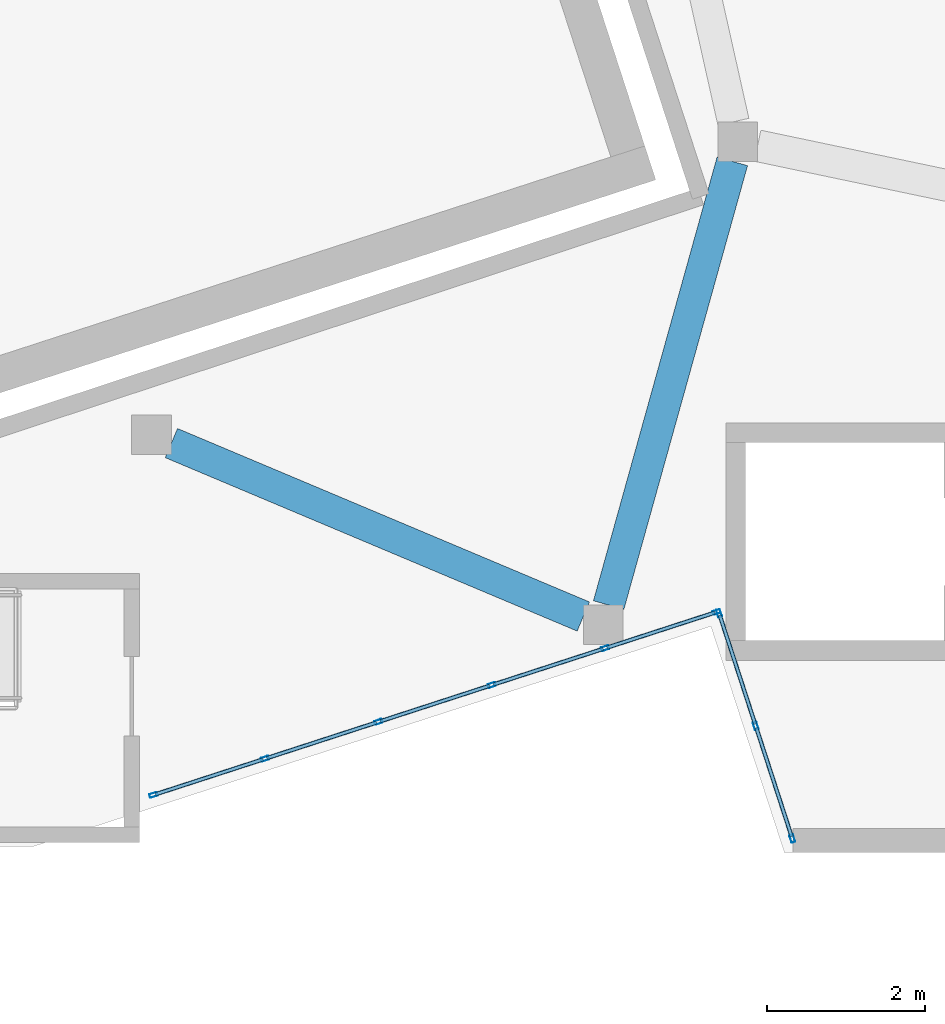
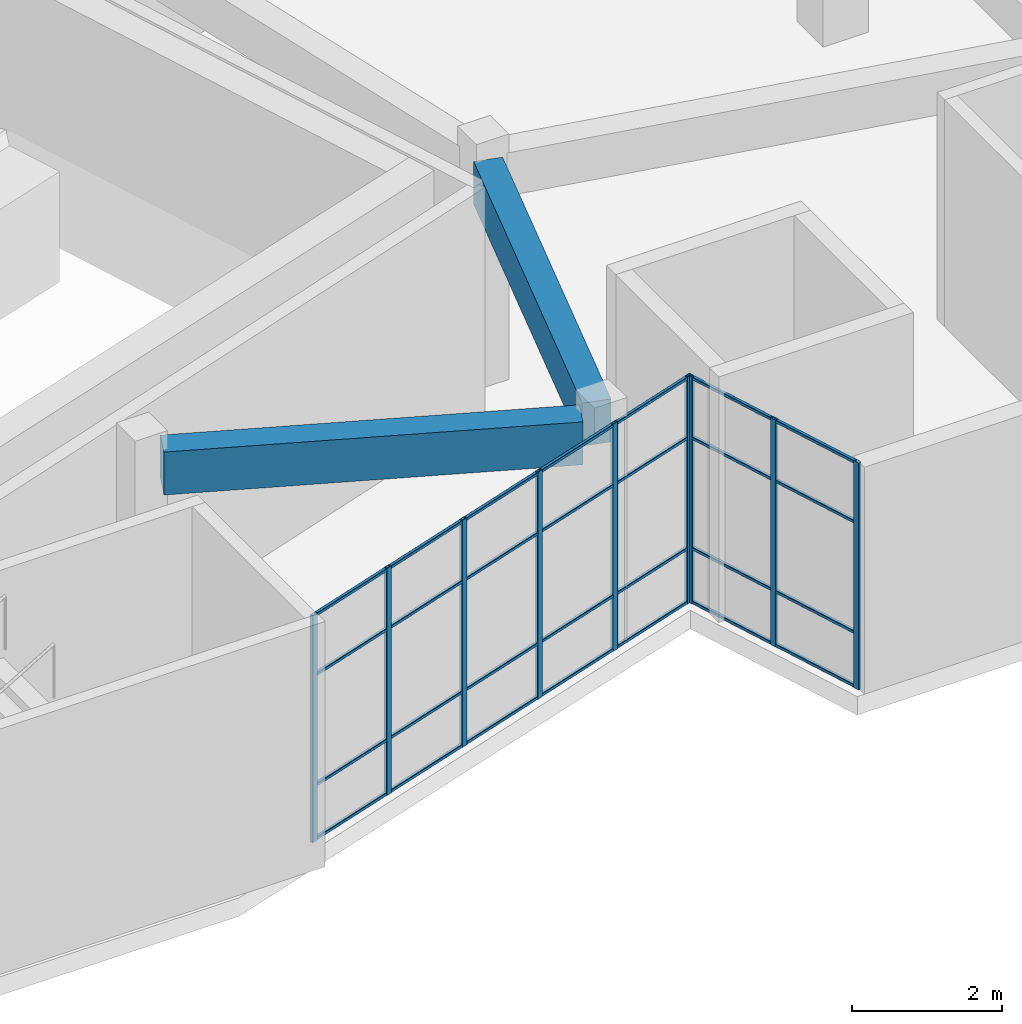
# One storey, part 2 of 66: 37 members, 2 beams, 2 elements without a shape of their own.
"""IFC4 building model written with IfcOpenShell, lengths in metres."""

from ifc_helpers import new_model, si_unit, direction, frame, origin, origin_2d, place, context, subcontext, project, spatial, rectangle, hollow_rectangle, extrude, material, layer, layer_set, material_profile, profile_set, type_object, element, aggregate, save


model = new_model("IFC4")

# Units and contexts
model_context = context("Model", 3, precision=1e-05, world=origin(), true_north=direction((0.0, 1.0)))
body_context = subcontext(model_context, "Body", "Model", "MODEL_VIEW")
ifc_project = project(units=[si_unit("LENGTHUNIT", "METRE"), si_unit("AREAUNIT", "SQUARE_METRE"), si_unit("VOLUMEUNIT", "CUBIC_METRE"), si_unit("PLANEANGLEUNIT", "RADIAN"), si_unit("MASSUNIT", "GRAM", prefix="KILO")], contexts=[model_context])

# Site, building, storey
site_placement = place(None, origin())
site = spatial("IfcSite", under=ifc_project, at=site_placement, CompositionType="ELEMENT")
building_placement = place(site_placement, origin())
building = spatial("IfcBuilding", under=site, at=building_placement, Name="Tuart Plaza Theatre", CompositionType="ELEMENT")
storey_placement = place(building_placement, frame((0.0, 0.0, 5.5)))
storey = spatial("IfcBuildingStorey", under=building, at=storey_placement, Name="L01", CompositionType="ELEMENT", Elevation=5.5)

# Beams
ifc_material_1 = material(Name="Concrete N40 (40 MPa)", Category="concrete")
ifc_material_profile_1 = material_profile(ifc_material_1, rectangle(XDim=0.39990234375, YDim=0.699951171875, at=origin_2d()), Name="BEAM 400x700 Concrete N40 (40 MPa)")
ifc_profile_set_1 = profile_set([ifc_material_profile_1], Name="Concrete N40 (40 MPa)")
beam_type = type_object("IfcBeamType", Name="BEAM 400x700 Concrete N40 (40 MPa)", PredefinedType="BEAM", material=ifc_profile_set_1)
beam_1_placement = place(storey_placement, frame((76.949951171875, 45.30517578125, 3.35009765625), z_axis=(-0.921635375138, 0.388057000058, 0.0), x_axis=(-0.388057000058, -0.921635375138, 0.0)))
element("IfcBeam", 1, at=beam_1_placement, inside=storey, type_object=beam_type, Name="RB467", PredefinedType="BEAM", context=body_context, shape_type="SweptSolid", body=[
    extrude(rectangle(XDim=0.39990234375, YDim=0.699951171875, at=origin_2d()), origin(), (0.0, 0.0, 1.0), 5.64208984375),
])
beam_2_placement = place(storey_placement, frame((77.269775390625, 45.449951171875, 3.35009765625), z_axis=(0.268436517251, 0.963297376829, 0.0), x_axis=(-0.963297376829, 0.268436517251, 0.0)))
element("IfcBeam", 2, at=beam_2_placement, inside=storey, type_object=beam_type, Name="RB468", PredefinedType="BEAM", context=body_context, shape_type="SweptSolid", body=[
    extrude(rectangle(XDim=0.39990234375, YDim=0.699951171875, at=origin_2d()), origin(), (0.0, 0.0, 1.0), 5.8134765625),
])

# Curtain wall, members
ifc_material_2 = material(Name="Aluminium and glass", Category="aluminium")
ifc_layer = layer(ifc_material_2, 0.10009765625)
ifc_layer_set = layer_set([ifc_layer], Name="CURTAIN WALL 1500 module")
curtain_wall_type = type_object("IfcCurtainWallType", Name="CURTAIN WALL 1500 module", PredefinedType="NOTDEFINED", material=ifc_layer_set)
curtain_wall_1_placement = place(storey_placement, origin())
curtain_wall_1 = element("IfcCurtainWall", 3, at=curtain_wall_1_placement, inside=storey, type_object=curtain_wall_type, Name="CW13", PredefinedType="NOTDEFINED")
ifc_material_3 = material(Name="Aluminium 6063-T5", Category="aluminium")
ifc_material_profile_2 = material_profile(ifc_material_3, hollow_rectangle(XDim=0.050048828125, YDim=0.10009765625, WallThickness=0.00390625, InnerFilletRadius=0.00390625, OuterFilletRadius=0.008056640625, at=origin_2d()), Name="RHS 100x50x4")
ifc_profile_set_2 = profile_set([ifc_material_profile_2], Name="Aluminium 6063-T5")
member_type_1 = type_object("IfcMemberType", Name="MULLION RHS 100x50x4", PredefinedType="MULLION", material=ifc_profile_set_2)
member_1_placement = place(storey_placement, frame((71.523681640625, 43.052734375, 0.0), z_axis=(0.0, 0.0, 1.0), x_axis=(-0.308985579126, 0.951066723155, 0.0)))
member_1 = element("IfcMember", 4, at=member_1_placement, type_object=member_type_1, Name="CW13 mullion 1", PredefinedType="MULLION", context=body_context, shape_type="SweptSolid", body=[
    extrude(hollow_rectangle(XDim=0.050048828125, YDim=0.10009765625, WallThickness=0.00390625, InnerFilletRadius=0.00390625, OuterFilletRadius=0.008056640625, at=origin_2d()), origin(), (0.0, 0.0, 1.0), 3.699951171875),
])
member_2_placement = place(storey_placement, frame((72.93115234375, 43.510009765625, 0.0), z_axis=(0.0, 0.0, 1.0), x_axis=(-0.308985579126, 0.951066723155, 0.0)))
member_2 = element("IfcMember", 5, at=member_2_placement, type_object=member_type_1, Name="CW13 mullion 2", PredefinedType="MULLION", context=body_context, shape_type="SweptSolid", body=[
    extrude(hollow_rectangle(XDim=0.050048828125, YDim=0.10009765625, WallThickness=0.00390625, InnerFilletRadius=0.00390625, OuterFilletRadius=0.008056640625, at=origin_2d()), origin(), (0.0, 0.0, 1.0), 3.699951171875),
])
member_3_placement = place(storey_placement, frame((74.362548828125, 43.97509765625, 0.0), z_axis=(0.0, 0.0, 1.0), x_axis=(-0.308985579126, 0.951066723155, 0.0)))
member_3 = element("IfcMember", 6, at=member_3_placement, type_object=member_type_1, Name="CW13 mullion 3", PredefinedType="MULLION", context=body_context, shape_type="SweptSolid", body=[
    extrude(hollow_rectangle(XDim=0.050048828125, YDim=0.10009765625, WallThickness=0.00390625, InnerFilletRadius=0.00390625, OuterFilletRadius=0.008056640625, at=origin_2d()), origin(), (0.0, 0.0, 1.0), 3.699951171875),
])
member_4_placement = place(storey_placement, frame((75.793701171875, 44.43994140625, 0.0), z_axis=(0.0, 0.0, 1.0), x_axis=(-0.308985579126, 0.951066723155, 0.0)))
member_4 = element("IfcMember", 7, at=member_4_placement, type_object=member_type_1, Name="CW13 mullion 4", PredefinedType="MULLION", context=body_context, shape_type="SweptSolid", body=[
    extrude(hollow_rectangle(XDim=0.050048828125, YDim=0.10009765625, WallThickness=0.00390625, InnerFilletRadius=0.00390625, OuterFilletRadius=0.008056640625, at=origin_2d()), origin(), (0.0, 0.0, 1.0), 3.699951171875),
])
member_5_placement = place(storey_placement, frame((77.22509765625, 44.905029296875, 0.0), z_axis=(0.0, 0.0, 1.0), x_axis=(-0.308985579126, 0.951066723155, 0.0)))
member_5 = element("IfcMember", 8, at=member_5_placement, type_object=member_type_1, Name="CW13 mullion 5", PredefinedType="MULLION", context=body_context, shape_type="SweptSolid", body=[
    extrude(hollow_rectangle(XDim=0.050048828125, YDim=0.10009765625, WallThickness=0.00390625, InnerFilletRadius=0.00390625, OuterFilletRadius=0.008056640625, at=origin_2d()), origin(), (0.0, 0.0, 1.0), 3.699951171875),
])
member_6_placement = place(storey_placement, frame((78.632568359375, 45.3623046875, 0.0), z_axis=(0.0, 0.0, 1.0), x_axis=(-0.308985579126, 0.951066723155, 0.0)))
member_6 = element("IfcMember", 9, at=member_6_placement, type_object=member_type_1, Name="CW13 mullion 6", PredefinedType="MULLION", context=body_context, shape_type="SweptSolid", body=[
    extrude(hollow_rectangle(XDim=0.050048828125, YDim=0.10009765625, WallThickness=0.00390625, InnerFilletRadius=0.00390625, OuterFilletRadius=0.008056640625, at=origin_2d()), origin(), (0.0, 0.0, 1.0), 3.699951171875),
])

curtain_wall_2_placement = place(storey_placement, origin())
curtain_wall_2 = element("IfcCurtainWall", 10, at=curtain_wall_2_placement, inside=storey, type_object=curtain_wall_type, Name="CW14", PredefinedType="NOTDEFINED")
member_7_placement = place(storey_placement, frame((78.6640625, 45.34619140625, 0.0), z_axis=(0.0, 0.0, 1.0), x_axis=(0.951056113998, 0.309018232516, 0.0)))
member_7 = element("IfcMember", 11, at=member_7_placement, type_object=member_type_1, Name="CW14 mullion 1", PredefinedType="MULLION", context=body_context, shape_type="SweptSolid", body=[
    extrude(hollow_rectangle(XDim=0.050048828125, YDim=0.10009765625, WallThickness=0.00390625, InnerFilletRadius=0.00390625, OuterFilletRadius=0.008056640625, at=origin_2d()), origin(), (0.0, 0.0, 1.0), 3.699951171875),
])
member_8_placement = place(storey_placement, frame((79.126220703125, 43.924072265625, 0.0), z_axis=(0.0, 0.0, 1.0), x_axis=(0.951056113998, 0.309018232516, 0.0)))
member_8 = element("IfcMember", 12, at=member_8_placement, type_object=member_type_1, Name="CW14 mullion 2", PredefinedType="MULLION", context=body_context, shape_type="SweptSolid", body=[
    extrude(hollow_rectangle(XDim=0.050048828125, YDim=0.10009765625, WallThickness=0.00390625, InnerFilletRadius=0.00390625, OuterFilletRadius=0.008056640625, at=origin_2d()), origin(), (0.0, 0.0, 1.0), 3.699951171875),
])
member_9_placement = place(storey_placement, frame((79.588134765625, 42.501708984375, 0.0), z_axis=(0.0, 0.0, 1.0), x_axis=(0.951056113998, 0.309018232516, 0.0)))
member_9 = element("IfcMember", 13, at=member_9_placement, type_object=member_type_1, Name="CW14 mullion 3", PredefinedType="MULLION", context=body_context, shape_type="SweptSolid", body=[
    extrude(hollow_rectangle(XDim=0.050048828125, YDim=0.10009765625, WallThickness=0.00390625, InnerFilletRadius=0.00390625, OuterFilletRadius=0.008056640625, at=origin_2d()), origin(), (0.0, 0.0, 1.0), 3.699951171875),
])

# Member
ifc_material_4 = material(Name="Aluminium 6063-T5", Category="aluminium")
ifc_material_profile_3 = material_profile(ifc_material_4, hollow_rectangle(XDim=0.050048828125, YDim=0.050048828125, WallThickness=0.00390625, InnerFilletRadius=0.00390625, OuterFilletRadius=0.008056640625, at=origin_2d()), Name="RHS 50x50x4")
ifc_profile_set_3 = profile_set([ifc_material_profile_3], Name="Aluminium 6063-T5")
member_type_2 = type_object("IfcMemberType", Name="TRANSOM RHS 50x50x4", PredefinedType="USERDEFINED", material=ifc_profile_set_3)
member_10_placement = place(storey_placement, frame((71.547607421875, 43.060546875, 0.02490234375), z_axis=(0.951096790658, 0.308893015135, 0.0), x_axis=(-0.308893015135, 0.951096790658, 0.0)))
member_10 = element("IfcMember", 14, at=member_10_placement, type_object=member_type_2, Name="CW13 transom 1.1", ObjectType="TRANSOM", PredefinedType="USERDEFINED", context=body_context, shape_type="SweptSolid", body=[
    extrude(hollow_rectangle(XDim=0.050048828125, YDim=0.050048828125, WallThickness=0.00390625, InnerFilletRadius=0.00390625, OuterFilletRadius=0.008056640625, at=origin_2d()), origin(), (0.0, 0.0, 1.0), 1.4296875),
])

member_11_placement = place(storey_placement, frame((71.547607421875, 43.060546875, 0.89990234375), z_axis=(0.951096790658, 0.308893015135, 0.0), x_axis=(-0.308893015135, 0.951096790658, 0.0)))
member_11 = element("IfcMember", 15, at=member_11_placement, type_object=member_type_2, Name="CW13 transom 1.2", ObjectType="TRANSOM", PredefinedType="USERDEFINED", context=body_context, shape_type="SweptSolid", body=[
    extrude(hollow_rectangle(XDim=0.050048828125, YDim=0.050048828125, WallThickness=0.00390625, InnerFilletRadius=0.00390625, OuterFilletRadius=0.008056640625, at=origin_2d()), origin(), (0.0, 0.0, 1.0), 1.4296875),
])

member_12_placement = place(storey_placement, frame((71.547607421875, 43.060546875, 2.699951171875), z_axis=(0.951096790658, 0.308893015135, 0.0), x_axis=(-0.308893015135, 0.951096790658, 0.0)))
member_12 = element("IfcMember", 16, at=member_12_placement, type_object=member_type_2, Name="CW13 transom 1.3", ObjectType="TRANSOM", PredefinedType="USERDEFINED", context=body_context, shape_type="SweptSolid", body=[
    extrude(hollow_rectangle(XDim=0.050048828125, YDim=0.050048828125, WallThickness=0.00390625, InnerFilletRadius=0.00390625, OuterFilletRadius=0.008056640625, at=origin_2d()), origin(), (0.0, 0.0, 1.0), 1.4296875),
])

member_13_placement = place(storey_placement, frame((71.547607421875, 43.060546875, 3.675048828125), z_axis=(0.951096790658, 0.308893015135, 0.0), x_axis=(-0.308893015135, 0.951096790658, 0.0)))
member_13 = element("IfcMember", 17, at=member_13_placement, type_object=member_type_2, Name="CW13 transom 1.4", ObjectType="TRANSOM", PredefinedType="USERDEFINED", context=body_context, shape_type="SweptSolid", body=[
    extrude(hollow_rectangle(XDim=0.050048828125, YDim=0.050048828125, WallThickness=0.00390625, InnerFilletRadius=0.00390625, OuterFilletRadius=0.008056640625, at=origin_2d()), origin(), (0.0, 0.0, 1.0), 1.4296875),
])

member_14_placement = place(storey_placement, frame((72.955078125, 43.517822265625, 0.02490234375), z_axis=(0.951088311505, 0.308919121645, 0.0), x_axis=(-0.308919121645, 0.951088311505, 0.0)))
member_14 = element("IfcMember", 18, at=member_14_placement, type_object=member_type_2, Name="CW13 transom 2.1", ObjectType="TRANSOM", PredefinedType="USERDEFINED", context=body_context, shape_type="SweptSolid", body=[
    extrude(hollow_rectangle(XDim=0.050048828125, YDim=0.050048828125, WallThickness=0.00390625, InnerFilletRadius=0.00390625, OuterFilletRadius=0.008056640625, at=origin_2d()), origin(), (0.0, 0.0, 1.0), 1.454833984375),
])

member_15_placement = place(storey_placement, frame((72.955078125, 43.517822265625, 0.89990234375), z_axis=(0.951088311505, 0.308919121645, 0.0), x_axis=(-0.308919121645, 0.951088311505, 0.0)))
member_15 = element("IfcMember", 19, at=member_15_placement, type_object=member_type_2, Name="CW13 transom 2.2", ObjectType="TRANSOM", PredefinedType="USERDEFINED", context=body_context, shape_type="SweptSolid", body=[
    extrude(hollow_rectangle(XDim=0.050048828125, YDim=0.050048828125, WallThickness=0.00390625, InnerFilletRadius=0.00390625, OuterFilletRadius=0.008056640625, at=origin_2d()), origin(), (0.0, 0.0, 1.0), 1.454833984375),
])

member_16_placement = place(storey_placement, frame((72.955078125, 43.517822265625, 2.699951171875), z_axis=(0.951088311505, 0.308919121645, 0.0), x_axis=(-0.308919121645, 0.951088311505, 0.0)))
member_16 = element("IfcMember", 20, at=member_16_placement, type_object=member_type_2, Name="CW13 transom 2.3", ObjectType="TRANSOM", PredefinedType="USERDEFINED", context=body_context, shape_type="SweptSolid", body=[
    extrude(hollow_rectangle(XDim=0.050048828125, YDim=0.050048828125, WallThickness=0.00390625, InnerFilletRadius=0.00390625, OuterFilletRadius=0.008056640625, at=origin_2d()), origin(), (0.0, 0.0, 1.0), 1.454833984375),
])

member_17_placement = place(storey_placement, frame((72.955078125, 43.517822265625, 3.675048828125), z_axis=(0.951088311505, 0.308919121645, 0.0), x_axis=(-0.308919121645, 0.951088311505, 0.0)))
member_17 = element("IfcMember", 21, at=member_17_placement, type_object=member_type_2, Name="CW13 transom 2.4", ObjectType="TRANSOM", PredefinedType="USERDEFINED", context=body_context, shape_type="SweptSolid", body=[
    extrude(hollow_rectangle(XDim=0.050048828125, YDim=0.050048828125, WallThickness=0.00390625, InnerFilletRadius=0.00390625, OuterFilletRadius=0.008056640625, at=origin_2d()), origin(), (0.0, 0.0, 1.0), 1.454833984375),
])

member_18_placement = place(storey_placement, frame((74.38623046875, 43.982666015625, 0.02490234375), z_axis=(0.951039000848, 0.309070896182, 0.0), x_axis=(-0.309070896182, 0.951039000848, 0.0)))
member_18 = element("IfcMember", 22, at=member_18_placement, type_object=member_type_2, Name="CW13 transom 3.1", ObjectType="TRANSOM", PredefinedType="USERDEFINED", context=body_context, shape_type="SweptSolid", body=[
    extrude(hollow_rectangle(XDim=0.050048828125, YDim=0.050048828125, WallThickness=0.00390625, InnerFilletRadius=0.00390625, OuterFilletRadius=0.008056640625, at=origin_2d()), origin(), (0.0, 0.0, 1.0), 1.455078125),
])

member_19_placement = place(storey_placement, frame((74.38623046875, 43.982666015625, 0.89990234375), z_axis=(0.951039000848, 0.309070896182, 0.0), x_axis=(-0.309070896182, 0.951039000848, 0.0)))
member_19 = element("IfcMember", 23, at=member_19_placement, type_object=member_type_2, Name="CW13 transom 3.2", ObjectType="TRANSOM", PredefinedType="USERDEFINED", context=body_context, shape_type="SweptSolid", body=[
    extrude(hollow_rectangle(XDim=0.050048828125, YDim=0.050048828125, WallThickness=0.00390625, InnerFilletRadius=0.00390625, OuterFilletRadius=0.008056640625, at=origin_2d()), origin(), (0.0, 0.0, 1.0), 1.455078125),
])

member_20_placement = place(storey_placement, frame((74.38623046875, 43.982666015625, 2.699951171875), z_axis=(0.951039000848, 0.309070896182, 0.0), x_axis=(-0.309070896182, 0.951039000848, 0.0)))
member_20 = element("IfcMember", 24, at=member_20_placement, type_object=member_type_2, Name="CW13 transom 3.3", ObjectType="TRANSOM", PredefinedType="USERDEFINED", context=body_context, shape_type="SweptSolid", body=[
    extrude(hollow_rectangle(XDim=0.050048828125, YDim=0.050048828125, WallThickness=0.00390625, InnerFilletRadius=0.00390625, OuterFilletRadius=0.008056640625, at=origin_2d()), origin(), (0.0, 0.0, 1.0), 1.455078125),
])

member_21_placement = place(storey_placement, frame((74.38623046875, 43.982666015625, 3.675048828125), z_axis=(0.951039000848, 0.309070896182, 0.0), x_axis=(-0.309070896182, 0.951039000848, 0.0)))
member_21 = element("IfcMember", 25, at=member_21_placement, type_object=member_type_2, Name="CW13 transom 3.4", ObjectType="TRANSOM", PredefinedType="USERDEFINED", context=body_context, shape_type="SweptSolid", body=[
    extrude(hollow_rectangle(XDim=0.050048828125, YDim=0.050048828125, WallThickness=0.00390625, InnerFilletRadius=0.00390625, OuterFilletRadius=0.008056640625, at=origin_2d()), origin(), (0.0, 0.0, 1.0), 1.455078125),
])

member_22_placement = place(storey_placement, frame((75.817626953125, 44.44775390625, 0.02490234375), z_axis=(0.951072294381, 0.308968430202, 0.0), x_axis=(-0.308968430202, 0.951072294381, 0.0)))
member_22 = element("IfcMember", 26, at=member_22_placement, type_object=member_type_2, Name="CW13 transom 4.1", ObjectType="TRANSOM", PredefinedType="USERDEFINED", context=body_context, shape_type="SweptSolid", body=[
    extrude(hollow_rectangle(XDim=0.050048828125, YDim=0.050048828125, WallThickness=0.00390625, InnerFilletRadius=0.00390625, OuterFilletRadius=0.008056640625, at=origin_2d()), origin(), (0.0, 0.0, 1.0), 1.454833984375),
])

member_23_placement = place(storey_placement, frame((75.817626953125, 44.44775390625, 0.89990234375), z_axis=(0.951072294381, 0.308968430202, 0.0), x_axis=(-0.308968430202, 0.951072294381, 0.0)))
member_23 = element("IfcMember", 27, at=member_23_placement, type_object=member_type_2, Name="CW13 transom 4.2", ObjectType="TRANSOM", PredefinedType="USERDEFINED", context=body_context, shape_type="SweptSolid", body=[
    extrude(hollow_rectangle(XDim=0.050048828125, YDim=0.050048828125, WallThickness=0.00390625, InnerFilletRadius=0.00390625, OuterFilletRadius=0.008056640625, at=origin_2d()), origin(), (0.0, 0.0, 1.0), 1.454833984375),
])

member_24_placement = place(storey_placement, frame((75.817626953125, 44.44775390625, 2.699951171875), z_axis=(0.951072294381, 0.308968430202, 0.0), x_axis=(-0.308968430202, 0.951072294381, 0.0)))
member_24 = element("IfcMember", 28, at=member_24_placement, type_object=member_type_2, Name="CW13 transom 4.3", ObjectType="TRANSOM", PredefinedType="USERDEFINED", context=body_context, shape_type="SweptSolid", body=[
    extrude(hollow_rectangle(XDim=0.050048828125, YDim=0.050048828125, WallThickness=0.00390625, InnerFilletRadius=0.00390625, OuterFilletRadius=0.008056640625, at=origin_2d()), origin(), (0.0, 0.0, 1.0), 1.454833984375),
])

member_25_placement = place(storey_placement, frame((75.817626953125, 44.44775390625, 3.675048828125), z_axis=(0.951072294381, 0.308968430202, 0.0), x_axis=(-0.308968430202, 0.951072294381, 0.0)))
member_25 = element("IfcMember", 29, at=member_25_placement, type_object=member_type_2, Name="CW13 transom 4.4", ObjectType="TRANSOM", PredefinedType="USERDEFINED", context=body_context, shape_type="SweptSolid", body=[
    extrude(hollow_rectangle(XDim=0.050048828125, YDim=0.050048828125, WallThickness=0.00390625, InnerFilletRadius=0.00390625, OuterFilletRadius=0.008056640625, at=origin_2d()), origin(), (0.0, 0.0, 1.0), 1.454833984375),
])

member_26_placement = place(storey_placement, frame((77.248779296875, 44.912841796875, 0.02490234375), z_axis=(0.951096790658, 0.308893015135, 0.0), x_axis=(-0.308893015135, 0.951096790658, 0.0)))
member_26 = element("IfcMember", 30, at=member_26_placement, type_object=member_type_2, Name="CW13 transom 5.1", ObjectType="TRANSOM", PredefinedType="USERDEFINED", context=body_context, shape_type="SweptSolid", body=[
    extrude(hollow_rectangle(XDim=0.050048828125, YDim=0.050048828125, WallThickness=0.00390625, InnerFilletRadius=0.00390625, OuterFilletRadius=0.008056640625, at=origin_2d()), origin(), (0.0, 0.0, 1.0), 1.4296875),
])

member_27_placement = place(storey_placement, frame((77.248779296875, 44.912841796875, 0.89990234375), z_axis=(0.951096790658, 0.308893015135, 0.0), x_axis=(-0.308893015135, 0.951096790658, 0.0)))
member_27 = element("IfcMember", 31, at=member_27_placement, type_object=member_type_2, Name="CW13 transom 5.2", ObjectType="TRANSOM", PredefinedType="USERDEFINED", context=body_context, shape_type="SweptSolid", body=[
    extrude(hollow_rectangle(XDim=0.050048828125, YDim=0.050048828125, WallThickness=0.00390625, InnerFilletRadius=0.00390625, OuterFilletRadius=0.008056640625, at=origin_2d()), origin(), (0.0, 0.0, 1.0), 1.4296875),
])

member_28_placement = place(storey_placement, frame((77.248779296875, 44.912841796875, 2.699951171875), z_axis=(0.951096790658, 0.308893015135, 0.0), x_axis=(-0.308893015135, 0.951096790658, 0.0)))
member_28 = element("IfcMember", 32, at=member_28_placement, type_object=member_type_2, Name="CW13 transom 5.3", ObjectType="TRANSOM", PredefinedType="USERDEFINED", context=body_context, shape_type="SweptSolid", body=[
    extrude(hollow_rectangle(XDim=0.050048828125, YDim=0.050048828125, WallThickness=0.00390625, InnerFilletRadius=0.00390625, OuterFilletRadius=0.008056640625, at=origin_2d()), origin(), (0.0, 0.0, 1.0), 1.4296875),
])

member_29_placement = place(storey_placement, frame((77.248779296875, 44.912841796875, 3.675048828125), z_axis=(0.951096790658, 0.308893015135, 0.0), x_axis=(-0.308893015135, 0.951096790658, 0.0)))
member_29 = element("IfcMember", 33, at=member_29_placement, type_object=member_type_2, Name="CW13 transom 5.4", ObjectType="TRANSOM", PredefinedType="USERDEFINED", context=body_context, shape_type="SweptSolid", body=[
    extrude(hollow_rectangle(XDim=0.050048828125, YDim=0.050048828125, WallThickness=0.00390625, InnerFilletRadius=0.00390625, OuterFilletRadius=0.008056640625, at=origin_2d()), origin(), (0.0, 0.0, 1.0), 1.4296875),
])

aggregate(curtain_wall_1, [member_1, member_2, member_3, member_4, member_5, member_6, member_10, member_11, member_12, member_13, member_14, member_15, member_16, member_17, member_18, member_19, member_20, member_21, member_22, member_23, member_24, member_25, member_26, member_27, member_28, member_29])

member_30_placement = place(storey_placement, frame((78.671875, 45.322509765625, 0.02490234375), z_axis=(0.308921844145, -0.951087427217, 0.0), x_axis=(0.951087427217, 0.308921844145, 0.0)))
member_30 = element("IfcMember", 34, at=member_30_placement, type_object=member_type_2, Name="CW14 transom 1.1", ObjectType="TRANSOM", PredefinedType="USERDEFINED", context=body_context, shape_type="SweptSolid", body=[
    extrude(hollow_rectangle(XDim=0.050048828125, YDim=0.050048828125, WallThickness=0.00390625, InnerFilletRadius=0.00390625, OuterFilletRadius=0.008056640625, at=origin_2d()), origin(), (0.0, 0.0, 1.0), 1.445556640625),
])

member_31_placement = place(storey_placement, frame((78.671875, 45.322509765625, 0.89990234375), z_axis=(0.308921844145, -0.951087427217, 0.0), x_axis=(0.951087427217, 0.308921844145, 0.0)))
member_31 = element("IfcMember", 35, at=member_31_placement, type_object=member_type_2, Name="CW14 transom 1.2", ObjectType="TRANSOM", PredefinedType="USERDEFINED", context=body_context, shape_type="SweptSolid", body=[
    extrude(hollow_rectangle(XDim=0.050048828125, YDim=0.050048828125, WallThickness=0.00390625, InnerFilletRadius=0.00390625, OuterFilletRadius=0.008056640625, at=origin_2d()), origin(), (0.0, 0.0, 1.0), 1.445556640625),
])

member_32_placement = place(storey_placement, frame((78.671875, 45.322509765625, 2.699951171875), z_axis=(0.308921844145, -0.951087427217, 0.0), x_axis=(0.951087427217, 0.308921844145, 0.0)))
member_32 = element("IfcMember", 36, at=member_32_placement, type_object=member_type_2, Name="CW14 transom 1.3", ObjectType="TRANSOM", PredefinedType="USERDEFINED", context=body_context, shape_type="SweptSolid", body=[
    extrude(hollow_rectangle(XDim=0.050048828125, YDim=0.050048828125, WallThickness=0.00390625, InnerFilletRadius=0.00390625, OuterFilletRadius=0.008056640625, at=origin_2d()), origin(), (0.0, 0.0, 1.0), 1.445556640625),
])

member_33_placement = place(storey_placement, frame((78.671875, 45.322509765625, 3.675048828125), z_axis=(0.308921844145, -0.951087427217, 0.0), x_axis=(0.951087427217, 0.308921844145, 0.0)))
member_33 = element("IfcMember", 37, at=member_33_placement, type_object=member_type_2, Name="CW14 transom 1.4", ObjectType="TRANSOM", PredefinedType="USERDEFINED", context=body_context, shape_type="SweptSolid", body=[
    extrude(hollow_rectangle(XDim=0.050048828125, YDim=0.050048828125, WallThickness=0.00390625, InnerFilletRadius=0.00390625, OuterFilletRadius=0.008056640625, at=origin_2d()), origin(), (0.0, 0.0, 1.0), 1.445556640625),
])

member_34_placement = place(storey_placement, frame((79.1337890625, 43.900146484375, 0.02490234375), z_axis=(0.309124267762, -0.95102165437, 0.0), x_axis=(0.95102165437, 0.309124267762, 0.0)))
member_34 = element("IfcMember", 38, at=member_34_placement, type_object=member_type_2, Name="CW14 transom 2.1", ObjectType="TRANSOM", PredefinedType="USERDEFINED", context=body_context, shape_type="SweptSolid", body=[
    extrude(hollow_rectangle(XDim=0.050048828125, YDim=0.050048828125, WallThickness=0.00390625, InnerFilletRadius=0.00390625, OuterFilletRadius=0.008056640625, at=origin_2d()), origin(), (0.0, 0.0, 1.0), 1.4453125),
])

member_35_placement = place(storey_placement, frame((79.1337890625, 43.900146484375, 0.89990234375), z_axis=(0.309124267762, -0.95102165437, 0.0), x_axis=(0.95102165437, 0.309124267762, 0.0)))
member_35 = element("IfcMember", 39, at=member_35_placement, type_object=member_type_2, Name="CW14 transom 2.2", ObjectType="TRANSOM", PredefinedType="USERDEFINED", context=body_context, shape_type="SweptSolid", body=[
    extrude(hollow_rectangle(XDim=0.050048828125, YDim=0.050048828125, WallThickness=0.00390625, InnerFilletRadius=0.00390625, OuterFilletRadius=0.008056640625, at=origin_2d()), origin(), (0.0, 0.0, 1.0), 1.4453125),
])

member_36_placement = place(storey_placement, frame((79.1337890625, 43.900146484375, 2.699951171875), z_axis=(0.309124267762, -0.95102165437, 0.0), x_axis=(0.95102165437, 0.309124267762, 0.0)))
member_36 = element("IfcMember", 40, at=member_36_placement, type_object=member_type_2, Name="CW14 transom 2.3", ObjectType="TRANSOM", PredefinedType="USERDEFINED", context=body_context, shape_type="SweptSolid", body=[
    extrude(hollow_rectangle(XDim=0.050048828125, YDim=0.050048828125, WallThickness=0.00390625, InnerFilletRadius=0.00390625, OuterFilletRadius=0.008056640625, at=origin_2d()), origin(), (0.0, 0.0, 1.0), 1.4453125),
])

member_37_placement = place(storey_placement, frame((79.1337890625, 43.900146484375, 3.675048828125), z_axis=(0.309124267762, -0.95102165437, 0.0), x_axis=(0.95102165437, 0.309124267762, 0.0)))
member_37 = element("IfcMember", 41, at=member_37_placement, type_object=member_type_2, Name="CW14 transom 2.4", ObjectType="TRANSOM", PredefinedType="USERDEFINED", context=body_context, shape_type="SweptSolid", body=[
    extrude(hollow_rectangle(XDim=0.050048828125, YDim=0.050048828125, WallThickness=0.00390625, InnerFilletRadius=0.00390625, OuterFilletRadius=0.008056640625, at=origin_2d()), origin(), (0.0, 0.0, 1.0), 1.4453125),
])

aggregate(curtain_wall_2, [member_7, member_8, member_9, member_30, member_31, member_32, member_33, member_34, member_35, member_36, member_37])

save(model, "model.ifc")
